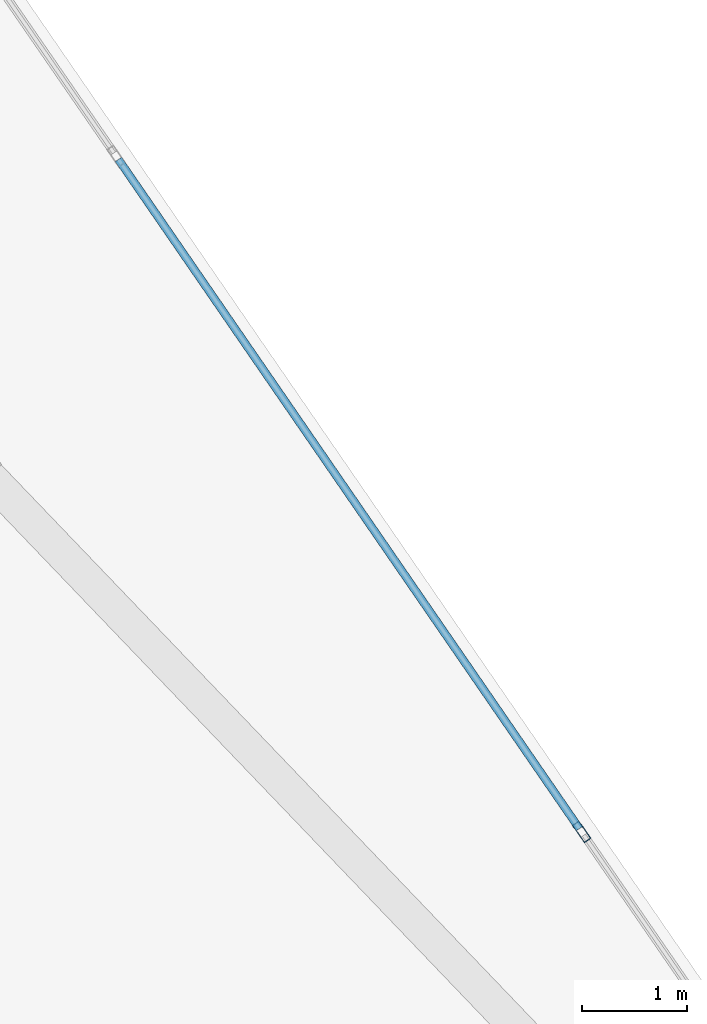
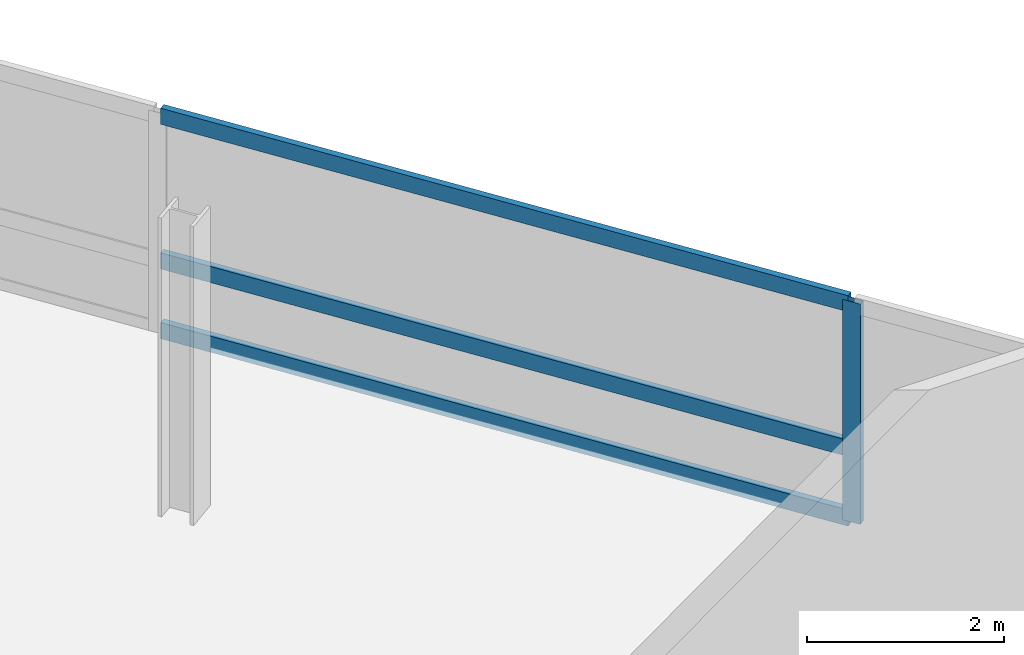
# One storey, part 8 of 21: 4 members, 1 element without a shape of its own.
"""IFC4 building model written with IfcOpenShell, lengths in metres."""

import ifcopenshell
import ifcopenshell.guid

model = None  # the IFC model being written
_history = None  # IfcOwnerHistory: only IFC2X3 demands one
_inside = {}  # id of a spatial element -> (the spatial element, [elements in it])
_under = {}  # id of a project, library or spatial element -> (it, [spatial elements below it])
_declared = {}  # id of a project -> (the project, [libraries it declares])
_typed = {}  # id of a type object -> (the type object, [elements of that type])
_made_of = {}  # id of a material, layer set ... -> (it, [elements and type objects made of it])


def new_model(schema):
    """Start an empty IFC model of exactly this schema.

    Asked for "IFC4X3", IfcOpenShell would pick the latest addendum, in which some entities
    have other attributes; the version numbers below select the first issue.
    IFC2X3 requires an IfcOwnerHistory on every rooted entity: one is made here for all.
    """
    global model, _history
    if schema == "IFC4X3":
        model = ifcopenshell.file(schema_version=(4, 3, 0, 0))
    else:
        model = ifcopenshell.file(schema=schema)
    _inside.clear()
    _under.clear()
    _declared.clear()
    _typed.clear()
    _made_of.clear()
    _history = None
    if model.schema == "IFC2X3":
        org = make("IfcOrganization", Name="unknown")
        user = make(
            "IfcPersonAndOrganization",
            ThePerson=make("IfcPerson", FamilyName="unknown"),
            TheOrganization=org,
        )
        app = make(
            "IfcApplication",
            ApplicationDeveloper=org,
            Version="unknown",
            ApplicationFullName="unknown",
            ApplicationIdentifier="unknown",
        )
        _history = make(
            "IfcOwnerHistory",
            OwningUser=user,
            OwningApplication=app,
            ChangeAction="ADDED",
            CreationDate=0,
        )
    return model


def make(cls, **values):
    """One entity of the class cls with the attributes given. An attribute that is None is left unset."""
    return model.create_entity(
        cls, **{name: value for name, value in values.items() if value is not None}
    )


def rooted(cls, **values):
    """An entity with a GlobalId (a new one), such as an element, a storey or a relation."""
    return make(cls, GlobalId=ifcopenshell.guid.new(), OwnerHistory=_history, **values)


def si_unit(unit_type, name, prefix=None):
    """IfcSIUnit, for example si_unit("LENGTHUNIT", "METRE", prefix="MILLI")."""
    return make("IfcSIUnit", UnitType=unit_type, Prefix=prefix, Name=name)


def assignment(units):
    """IfcUnitAssignment: the units of a project."""
    return None if units is None else make("IfcUnitAssignment", Units=units)


def point(xyz):
    """IfcCartesianPoint."""
    return None if xyz is None else make("IfcCartesianPoint", Coordinates=xyz)


def direction(xyz):
    """IfcDirection."""
    return None if xyz is None else make("IfcDirection", DirectionRatios=xyz)


def frame(location, z_axis=None, x_axis=None):
    """IfcAxis2Placement3D, a coordinate frame: its origin and axes. An axis left out is left unset."""
    return make(
        "IfcAxis2Placement3D",
        Location=point(location),
        Axis=direction(z_axis),
        RefDirection=direction(x_axis),
    )


def frame_2d(location, x_axis=None):
    """IfcAxis2Placement2D, a coordinate frame in the plane: its origin and x axis."""
    return make(
        "IfcAxis2Placement2D", Location=point(location), RefDirection=direction(x_axis)
    )


def origin():
    """The frame at (0, 0, 0) with its axes left unset."""
    return frame((0.0, 0.0, 0.0))


def origin_2d():
    """The frame at (0, 0) in the plane with its x axis left unset."""
    return frame_2d((0.0, 0.0))


def place(relative_to, where):
    """IfcLocalPlacement: puts the frame where relative to a parent placement (None: the world)."""
    return make(
        "IfcLocalPlacement", PlacementRelTo=relative_to, RelativePlacement=where
    )


def context(
    kind, dimensions, precision=None, world=None, true_north=None, identifier=None
):
    """IfcGeometricRepresentationContext, for example the 3D "Model" context."""
    return make(
        "IfcGeometricRepresentationContext",
        ContextIdentifier=identifier,
        ContextType=kind,
        CoordinateSpaceDimension=dimensions,
        Precision=precision,
        WorldCoordinateSystem=world,
        TrueNorth=true_north,
    )


def subcontext(parent, identifier, kind, view, scale=None):
    """IfcGeometricRepresentationSubContext, for example "Body" below "Model"."""
    return make(
        "IfcGeometricRepresentationSubContext",
        ContextIdentifier=identifier,
        ContextType=kind,
        ParentContext=parent,
        TargetScale=scale,
        TargetView=view,
    )


def project(units=None, contexts=None):
    """IfcProject with its units and contexts."""
    return rooted(
        "IfcProject",
        Name="project",
        RepresentationContexts=contexts,
        UnitsInContext=assignment(units),
    )


def spatial(cls, under=None, at=None, **own):
    """A site, building, storey or space (cls), placed at a placement, below another one or the project."""
    s = rooted(cls, ObjectPlacement=at, **own)
    if under is not None:
        _under.setdefault(under.id(), (under, []))[1].append(s)
    return s


def profile(cls, at=None, kind="AREA", **sizes):
    """A parametric profile (cls). Its sizes go by their IFC names, for example OverallWidth=200.0."""
    return make(cls, ProfileType=kind, Position=at, **sizes)


def hollow_rectangle(**sizes):
    """IfcRectangleHollowProfileDef."""
    return profile("IfcRectangleHollowProfileDef", **sizes)


def extrude(swept, where, along, depth):
    """IfcExtrudedAreaSolid: the profile swept, set in the frame where, extruded along a direction by depth."""
    return make(
        "IfcExtrudedAreaSolid",
        SweptArea=swept,
        Position=where,
        ExtrudedDirection=direction(along),
        Depth=depth,
    )


def shape(context_of_items, identifier, shape_type, items):
    """IfcShapeRepresentation: the items that make up one representation, for example the "Body"."""
    return make(
        "IfcShapeRepresentation",
        ContextOfItems=context_of_items,
        RepresentationIdentifier=identifier,
        RepresentationType=shape_type,
        Items=items,
    )


def material(Name=None, Category=None):
    """IfcMaterial."""
    return make("IfcMaterial", Name=Name, Category=Category)


def layer(
    of_material, thickness, ventilated=None, Name=None, Category=None, Priority=None
):
    """IfcMaterialLayer: one layer of a wall or slab, of a material (None: an air gap)."""
    return make(
        "IfcMaterialLayer",
        Material=of_material,
        LayerThickness=thickness,
        IsVentilated=ventilated,
        Name=Name,
        Category=Category,
        Priority=Priority,
    )


def layer_set(layers, Name=None):
    """IfcMaterialLayerSet."""
    return make("IfcMaterialLayerSet", MaterialLayers=layers, LayerSetName=Name)


def material_profile(
    of_material, cross_section, Name=None, Category=None, Priority=None
):
    """IfcMaterialProfile: a cross section and its material."""
    return make(
        "IfcMaterialProfile",
        Name=Name,
        Material=of_material,
        Profile=cross_section,
        Priority=Priority,
        Category=Category,
    )


def profile_set(profiles, Name=None, composite=None):
    """IfcMaterialProfileSet."""
    return make(
        "IfcMaterialProfileSet",
        Name=Name,
        MaterialProfiles=profiles,
        CompositeProfile=composite,
    )


def made_of(thing, what):
    """Note that an element or type object is made of a material, layer set ...; save() writes the relation."""
    if what is not None:
        _made_of.setdefault(what.id(), (what, []))[1].append(thing)
    return thing


def type_object(cls, material=None, **own):
    """A type object (cls), such as IfcWallType, which elements share."""
    return made_of(rooted(cls, **own), material)


def element(
    cls,
    number,
    at=None,
    inside=None,
    cuts=None,
    type_object=None,
    material=None,
    context=None,
    identifier="Body",
    shape_type=None,
    held_by="IfcProductDefinitionShape",
    body=None,
    shapes=None,
    **own,
):
    """One element of the class cls, such as IfcWall. Its Tag is "e" and its number.

    at: its placement. inside: the storey or other place that contains it. cuts: it is an
    opening in that element (IfcRelVoidsElement). A single representation is given by context,
    identifier, shape_type and body (its items); several are given by shapes. held_by: the class
    of the entity that holds the representations. save() writes the other relations.
    """
    e = rooted(cls, Tag="e%d" % number, ObjectPlacement=at, **own)
    if body is not None:
        shapes = [shape(context, identifier, shape_type, body)]
    if shapes is not None:
        e.Representation = make(held_by, Representations=shapes)
    if inside is not None:
        _inside.setdefault(inside.id(), (inside, []))[1].append(e)
    if cuts is not None:
        rooted(
            "IfcRelVoidsElement", RelatingBuildingElement=cuts, RelatedOpeningElement=e
        )
    if type_object is not None:
        _typed.setdefault(type_object.id(), (type_object, []))[1].append(e)
    return made_of(e, material)


def aggregate(whole, parts):
    """IfcRelAggregates: a whole, such as a stair, and the parts it consists of."""
    return rooted("IfcRelAggregates", RelatingObject=whole, RelatedObjects=parts)


def save(model, path):
    """Write the relations noted so far, then the file.

    IfcRelAggregates (storeys below a building ...), IfcRelContainedInSpatialStructure (elements
    in a storey), IfcRelDefinesByType, IfcRelAssociatesMaterial and IfcRelDeclares: one each for
    every whole, place, type object, material and project.
    """
    for whole, parts in _under.values():
        aggregate(whole, parts)
    for where, things in _inside.values():
        rooted(
            "IfcRelContainedInSpatialStructure",
            RelatedElements=things,
            RelatingStructure=where,
        )
    for kind, things in _typed.values():
        rooted("IfcRelDefinesByType", RelatedObjects=things, RelatingType=kind)
    for what, things in _made_of.values():
        rooted("IfcRelAssociatesMaterial", RelatedObjects=things, RelatingMaterial=what)
    for by, libraries in _declared.values():
        rooted("IfcRelDeclares", RelatingContext=by, RelatedDefinitions=libraries)
    model.write(path)


model = new_model("IFC4")

# Units and contexts
model_context = context("Model", 3, precision=1e-05, world=origin(), true_north=direction((0.0, 1.0)))
body_context = subcontext(model_context, "Body", "Model", "MODEL_VIEW")
ifc_project = project(units=[si_unit("LENGTHUNIT", "METRE"), si_unit("AREAUNIT", "SQUARE_METRE"), si_unit("VOLUMEUNIT", "CUBIC_METRE"), si_unit("PLANEANGLEUNIT", "RADIAN"), si_unit("MASSUNIT", "GRAM", prefix="KILO")], contexts=[model_context])

# Site, building, storey
site_placement = place(None, origin())
site = spatial("IfcSite", under=ifc_project, at=site_placement, CompositionType="ELEMENT")
building_placement = place(site_placement, origin())
building = spatial("IfcBuilding", under=site, at=building_placement, Name="Varnelok Gate Tower", CompositionType="ELEMENT")
storey_placement = place(building_placement, frame((0.0, 0.0, 261.89990234375)))
storey = spatial("IfcBuildingStorey", under=building, at=storey_placement, Name="L67", CompositionType="ELEMENT", Elevation=261.89990234375)

# Curtain wall, members
ifc_material = material(Name="Anodized Aluminum Alloy 6063-T6", Category="aluminium")
ifc_layer = layer(ifc_material, 0.179931640625)
ifc_layer_set = layer_set([ifc_layer], Name="Anodized Aluminum Alloy 6063-T6")
curtain_wall_type = type_object("IfcCurtainWallType", Name="CW4-RESIDENCE-VISION", PredefinedType="USERDEFINED", material=ifc_layer_set)
curtain_wall_placement = place(storey_placement, origin())
curtain_wall = element("IfcCurtainWall", 1, at=curtain_wall_placement, inside=storey, type_object=curtain_wall_type, Name="L67 East End Vision Curtain Wall", ObjectType="UNITISED CURTAIN WALL", PredefinedType="USERDEFINED")
ifc_material_profile_1 = material_profile(ifc_material, hollow_rectangle(XDim=0.074951171875, YDim=0.199951171875, WallThickness=0.00390625, at=origin_2d()), Name="ALU200X75X4")
ifc_profile_set_1 = profile_set([ifc_material_profile_1], Name="Anodized Aluminum Alloy 6063-T6")
member_type_1 = type_object("IfcMemberType", Name="CW-MULL-200", PredefinedType="MULLION", material=ifc_profile_set_1)
member_1_placement = place(storey_placement, frame((66.343505859375, 43.997314453125, 0.0), z_axis=(0.0, 0.0, 1.0), x_axis=(0.823532290241, 0.567269395376, 0.0)))
member_1 = element("IfcMember", 2, at=member_1_placement, type_object=member_type_1, Name="CW4 mullion 3", PredefinedType="MULLION", context=body_context, shape_type="SweptSolid", body=[
    extrude(hollow_rectangle(XDim=0.074951171875, YDim=0.199951171875, WallThickness=0.00390625, at=origin_2d()), origin(), (0.0, 0.0, 1.0), 2.72998046875),
])
ifc_material_profile_2 = material_profile(ifc_material, hollow_rectangle(XDim=0.074951171875, YDim=0.199951171875, WallThickness=0.00390625, at=origin_2d()), Name="ALU200X75X4")
ifc_profile_set_2 = profile_set([ifc_material_profile_2], Name="Anodized Aluminum Alloy 6063-T6")
member_type_2 = type_object("IfcMemberType", Name="CW-TRAN-200", PredefinedType="USERDEFINED", material=ifc_profile_set_2)
member_2_placement = place(storey_placement, frame((61.940185546875, 50.389892578125, 0.03759765625), z_axis=(0.567260941086, -0.823538113701, 0.0), x_axis=(0.823538113701, 0.567260941086, 0.0)))
member_2 = element("IfcMember", 3, at=member_2_placement, type_object=member_type_2, Name="CW4 transom 2.1", ObjectType="TRANSOM", PredefinedType="USERDEFINED", context=body_context, shape_type="SweptSolid", body=[
    extrude(hollow_rectangle(XDim=0.074951171875, YDim=0.199951171875, WallThickness=0.00390625, at=origin_2d()), origin(), (0.0, 0.0, 1.0), 7.72509765625),
])
member_3_placement = place(storey_placement, frame((61.940185546875, 50.389892578125, 0.900146484375), z_axis=(0.567260941086, -0.823538113701, 0.0), x_axis=(0.823538113701, 0.567260941086, 0.0)))
member_3 = element("IfcMember", 4, at=member_3_placement, type_object=member_type_2, Name="CW4 transom 2.2", ObjectType="TRANSOM", PredefinedType="USERDEFINED", context=body_context, shape_type="SweptSolid", body=[
    extrude(hollow_rectangle(XDim=0.074951171875, YDim=0.199951171875, WallThickness=0.00390625, at=origin_2d()), origin(), (0.0, 0.0, 1.0), 7.72509765625),
])
member_4_placement = place(storey_placement, frame((61.940185546875, 50.389892578125, 2.692626953125), z_axis=(0.567260941086, -0.823538113701, 0.0), x_axis=(0.823538113701, 0.567260941086, 0.0)))
member_4 = element("IfcMember", 5, at=member_4_placement, type_object=member_type_2, Name="CW4 transom 2.3", ObjectType="TRANSOM", PredefinedType="USERDEFINED", context=body_context, shape_type="SweptSolid", body=[
    extrude(hollow_rectangle(XDim=0.074951171875, YDim=0.199951171875, WallThickness=0.00390625, at=origin_2d()), origin(), (0.0, 0.0, 1.0), 7.72509765625),
])
aggregate(curtain_wall, [member_1, member_2, member_3, member_4])

save(model, "model.ifc")
